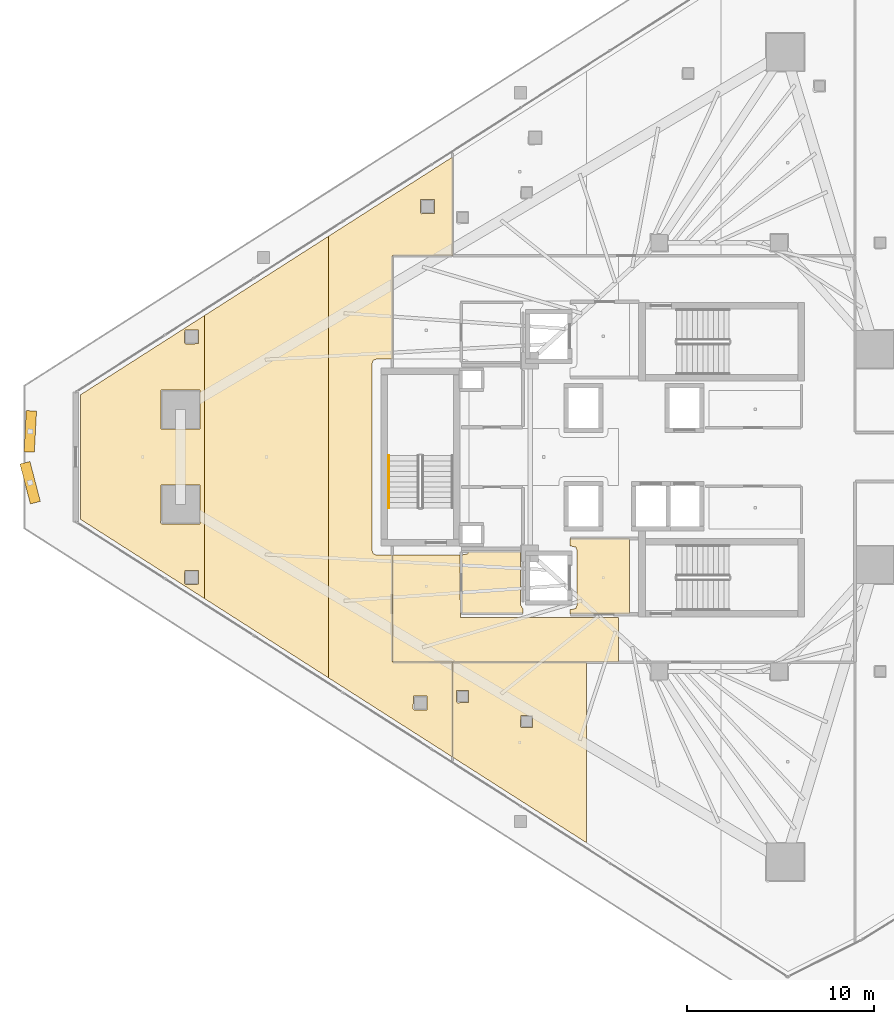
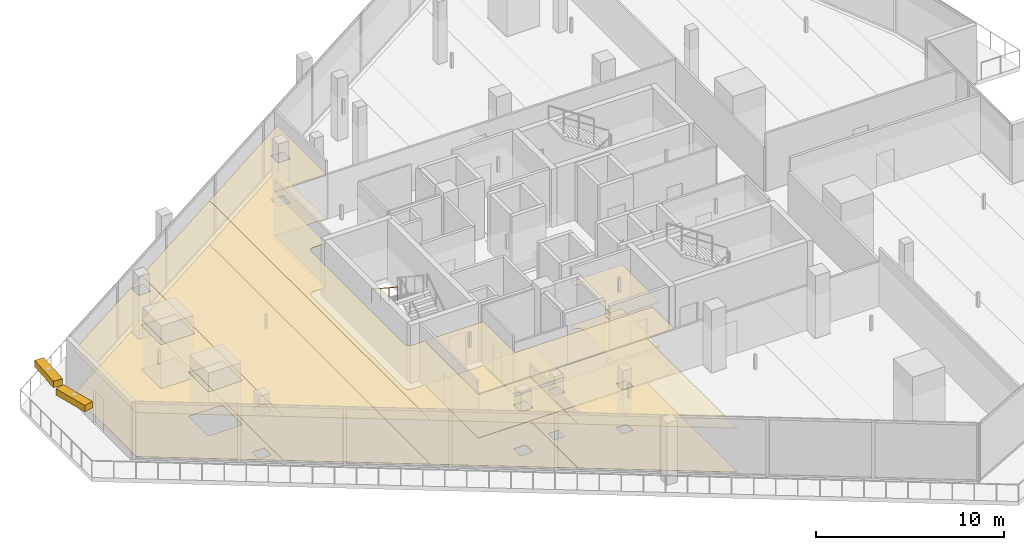
# One storey, part 30 of 36: 13 coverings, 2 shading devices, 1 railing.
"""IFC4 building model written with IfcOpenShell, lengths in metres."""

from ifc_helpers import new_model, si_unit, direction, frame, origin, origin_2d, place, context, subcontext, project, spatial, polyline, rectangle, circle, outline, extrude, material, layer, layer_set, type_object, element, save


model = new_model("IFC4")

# Units and contexts
model_context = context("Model", 3, precision=1e-05, world=origin(), true_north=direction((0.0, 1.0)))
body_context = subcontext(model_context, "Body", "Model", "MODEL_VIEW")
ifc_project = project(units=[si_unit("LENGTHUNIT", "METRE"), si_unit("AREAUNIT", "SQUARE_METRE"), si_unit("VOLUMEUNIT", "CUBIC_METRE"), si_unit("PLANEANGLEUNIT", "RADIAN"), si_unit("MASSUNIT", "GRAM", prefix="KILO")], contexts=[model_context])

# Site, building, storey
site_placement = place(None, origin())
site = spatial("IfcSite", under=ifc_project, at=site_placement, CompositionType="ELEMENT")
building_placement = place(site_placement, origin())
building = spatial("IfcBuilding", under=site, at=building_placement, Name="Qorvath Tower", CompositionType="ELEMENT")
storey_placement = place(building_placement, frame((0.0, 0.0, 192.89990234375)))
storey = spatial("IfcBuildingStorey", under=building, at=storey_placement, Name="L44", CompositionType="ELEMENT", Elevation=192.89990234375)

# Coverings
ifc_material_1 = material(Name="Acoustic mineral fibre ceiling tile", Category="gypsum")
ifc_layer_1 = layer(ifc_material_1, 0.030029296875)
ifc_layer_set_1 = layer_set([ifc_layer_1], Name="COV-CEIL")
covering_type_1 = type_object("IfcCoveringType", Name="COV-CEIL", PredefinedType="CEILING", material=ifc_layer_set_1)
covering_1_placement = place(storey_placement, frame((0.0, 0.0, 2.85009765625)))
element("IfcCovering", 1, at=covering_1_placement, inside=storey, type_object=covering_type_1, Name="L44 Suspended Acoustic Ceiling 002", PredefinedType="CEILING", context=body_context, shape_type="SweptSolid", body=[
    extrude(outline(polyline([(-25.18994140625, -8.39501953125), (-25.18994140625, -4.35498046875), (-28.375, -4.35498046875), (-28.375, -4.739990234375), (-28.063232421875, -4.813232421875), (-27.989990234375, -4.989990234375), (-27.989990234375, -7.909912109375), (-28.063232421875, -8.086669921875), (-28.375, -8.159912109375), (-28.375, -8.39501953125), (-25.18994140625, -8.39501953125)])), origin(), (0.0, 0.0, 1.0), 0.030029296875),
])
covering_2_placement = place(storey_placement, frame((0.0, 0.0, 2.85009765625)))
element("IfcCovering", 2, at=covering_2_placement, inside=storey, type_object=covering_type_1, Name="L44 Suspended Acoustic Ceiling 009", PredefinedType="CEILING", context=body_context, shape_type="SweptSolid", body=[
    extrude(outline(polyline([(-34.22509765625, -8.580078125), (-34.251220703125, -5.239990234375), (-37.844970703125, -5.239990234375), (-37.844970703125, -10.945068359375), (-25.76806640625, -10.945068359375), (-25.76806640625, -8.574462890625), (-34.22509765625, -8.580078125)])), origin(), (0.0, 0.0, 1.0), 0.030029296875),
])
covering_3_placement = place(storey_placement, frame((0.0, 0.0, 2.85009765625)))
element("IfcCovering", 3, at=covering_3_placement, inside=storey, type_object=covering_type_1, Name="L44 Suspended Acoustic Ceiling 012", PredefinedType="CEILING", context=body_context, shape_type="SweptSolid", body=[
    extrude(outline(polyline([(-47.89013671875, -7.561279296875), (-47.89013671875, 7.561279296875), (-54.5078125, 3.331787109375), (-54.5078125, -3.331787109375), (-47.89013671875, -7.561279296875)]), holes=[polyline([(-50.23193359375, -3.52783203125), (-50.21435546875, -1.4853515625), (-48.12939453125, -1.4853515625), (-48.12939453125, -3.5703125), (-50.171875, -3.587890625), (-50.23193359375, -3.52783203125)]), polyline([(-50.21435546875, 1.4853515625), (-50.21435546875, 3.5703125), (-48.12939453125, 3.5703125), (-48.12939453125, 1.4853515625), (-50.21435546875, 1.4853515625)]), polyline([(-48.96337890625, -6.74951171875), (-48.94580078125, -6.05712890625), (-48.2109375, -6.05712890625), (-48.2109375, -6.7919921875), (-48.9033203125, -6.8095703125), (-48.96337890625, -6.74951171875)]), polyline([(-48.96337890625, 6.099609375), (-48.94580078125, 6.7919921875), (-48.2109375, 6.7919921875), (-48.2109375, 6.05712890625), (-48.9033203125, 6.03955078125), (-48.96337890625, 6.099609375)])]), origin(), (0.0, 0.0, 1.0), 0.030029296875),
])
covering_4_placement = place(storey_placement, frame((0.0, 0.0, 2.85009765625)))
element("IfcCovering", 4, at=covering_4_placement, inside=storey, type_object=covering_type_1, Name="L44 Suspended Acoustic Ceiling 013", PredefinedType="CEILING", context=body_context, shape_type="SweptSolid", body=[
    extrude(outline(polyline([(-41.272705078125, -11.790771484375), (-41.272705078125, 11.790771484375), (-47.89013671875, 7.561279296875), (-47.89013671875, -7.561279296875), (-41.272705078125, -11.790771484375)])), origin(), (0.0, 0.0, 1.0), 0.030029296875),
])
covering_5_placement = place(storey_placement, frame((0.0, 0.0, 2.85009765625)))
element("IfcCovering", 5, at=covering_5_placement, inside=storey, type_object=covering_type_1, Name="L44 Suspended Acoustic Ceiling 014", PredefinedType="CEILING", context=body_context, shape_type="SweptSolid", body=[
    extrude(outline(polyline([(-34.655029296875, 10.762939453125), (-34.655029296875, 16.020263671875), (-41.272705078125, 11.790771484375), (-41.272705078125, -11.790771484375), (-34.655029296875, -16.020263671875), (-34.655029296875, -10.962890625), (-37.863037109375, -10.9580078125), (-37.863037109375, -5.239990234375), (-38.699951171875, -5.239990234375), (-38.876708984375, -5.166748046875), (-38.949951171875, -4.989990234375), (-38.949951171875, 4.989990234375), (-38.876708984375, 5.166748046875), (-38.699951171875, 5.239990234375), (-37.863037109375, 5.239990234375), (-37.861572265625, 10.761474609375), (-34.655029296875, 10.762939453125)]), holes=[polyline([(-36.36572265625, 13.055908203125), (-36.34814453125, 13.748291015625), (-35.61328125, 13.748291015625), (-35.61328125, 13.013427734375), (-36.3056640625, 12.995849609375), (-36.36572265625, 13.055908203125)]), polyline([(-36.749755859375, -13.46044921875), (-36.732177734375, -12.76806640625), (-35.997314453125, -12.76806640625), (-35.997314453125, -13.5029296875), (-36.689697265625, -13.5205078125), (-36.749755859375, -13.46044921875)])]), origin(), (0.0, 0.0, 1.0), 0.030029296875),
])
covering_6_placement = place(storey_placement, frame((0.0, 0.0, 2.85009765625)))
element("IfcCovering", 6, at=covering_6_placement, inside=storey, type_object=covering_type_1, Name="L44 Suspended Acoustic Ceiling 018", PredefinedType="CEILING", context=body_context, shape_type="SweptSolid", body=[
    extrude(outline(polyline([(-27.476318359375, -20.6083984375), (-27.476318359375, -10.962890625), (-34.636962890625, -10.962890625), (-34.636962890625, -16.03173828125), (-27.476318359375, -20.6083984375)]), holes=[polyline([(-31.01220703125, -14.3994140625), (-30.99462890625, -13.806884765625), (-30.35986328125, -13.806884765625), (-30.35986328125, -14.441650390625), (-30.9521484375, -14.459228515625), (-31.01220703125, -14.3994140625)]), polyline([(-34.439208984375, -13.0673828125), (-34.421630859375, -12.47509765625), (-33.786865234375, -12.47509765625), (-33.786865234375, -13.10986328125), (-34.379150390625, -13.12744140625), (-34.439208984375, -13.0673828125)])]), origin(), (0.0, 0.0, 1.0), 0.030029296875),
])
ifc_material_2 = material(Name="Low-VOC modular carpet tile", Category="textile")
ifc_layer_2 = layer(ifc_material_2, 0.014892578125)
ifc_layer_set_2 = layer_set([ifc_layer_2], Name="COV-FLOOR-CPT")
covering_type_2 = type_object("IfcCoveringType", Name="COV-FLOOR-CPT", PredefinedType="FLOORING", material=ifc_layer_set_2)
covering_7_placement = place(storey_placement, origin())
element("IfcCovering", 7, at=covering_7_placement, inside=storey, type_object=covering_type_2, Name="L44 Floor Finish 012", PredefinedType="FLOORING", context=body_context, shape_type="SweptSolid", body=[
    extrude(outline(polyline([(-47.89013671875, -7.561279296875), (-47.89013671875, 7.561279296875), (-54.5078125, 3.331787109375), (-54.5078125, -3.331787109375), (-47.89013671875, -7.561279296875)]), holes=[polyline([(-50.23193359375, -3.52783203125), (-50.21435546875, -1.4853515625), (-48.12939453125, -1.4853515625), (-48.12939453125, -3.5703125), (-50.171875, -3.587890625), (-50.23193359375, -3.52783203125)]), polyline([(-50.21435546875, 1.4853515625), (-50.21435546875, 3.5703125), (-48.12939453125, 3.5703125), (-48.12939453125, 1.4853515625), (-50.21435546875, 1.4853515625)]), polyline([(-48.96337890625, -6.74951171875), (-48.94580078125, -6.05712890625), (-48.2109375, -6.05712890625), (-48.2109375, -6.7919921875), (-48.9033203125, -6.8095703125), (-48.96337890625, -6.74951171875)]), polyline([(-48.96337890625, 6.099609375), (-48.94580078125, 6.7919921875), (-48.2109375, 6.7919921875), (-48.2109375, 6.05712890625), (-48.9033203125, 6.03955078125), (-48.96337890625, 6.099609375)])]), origin(), (0.0, 0.0, 1.0), 0.01513671875),
])
covering_8_placement = place(storey_placement, origin())
element("IfcCovering", 8, at=covering_8_placement, inside=storey, type_object=covering_type_2, Name="L44 Floor Finish 013", PredefinedType="FLOORING", context=body_context, shape_type="SweptSolid", body=[
    extrude(outline(polyline([(-41.272705078125, -11.790771484375), (-41.272705078125, 11.790771484375), (-47.89013671875, 7.561279296875), (-47.89013671875, -7.561279296875), (-41.272705078125, -11.790771484375)])), origin(), (0.0, 0.0, 1.0), 0.01513671875),
])
covering_9_placement = place(storey_placement, origin())
element("IfcCovering", 9, at=covering_9_placement, inside=storey, type_object=covering_type_2, Name="L44 Floor Finish 014", PredefinedType="FLOORING", context=body_context, shape_type="SweptSolid", body=[
    extrude(outline(polyline([(-34.655029296875, 10.762939453125), (-34.655029296875, 16.020263671875), (-41.272705078125, 11.790771484375), (-41.272705078125, -11.790771484375), (-34.655029296875, -16.020263671875), (-34.655029296875, -10.962890625), (-37.863037109375, -10.9580078125), (-37.863037109375, -5.239990234375), (-38.699951171875, -5.239990234375), (-38.876708984375, -5.166748046875), (-38.949951171875, -4.989990234375), (-38.949951171875, 4.989990234375), (-38.876708984375, 5.166748046875), (-38.699951171875, 5.239990234375), (-37.863037109375, 5.239990234375), (-37.861572265625, 10.761474609375), (-34.655029296875, 10.762939453125)]), holes=[polyline([(-36.36572265625, 13.055908203125), (-36.34814453125, 13.748291015625), (-35.61328125, 13.748291015625), (-35.61328125, 13.013427734375), (-36.3056640625, 12.995849609375), (-36.36572265625, 13.055908203125)]), polyline([(-36.749755859375, -13.46044921875), (-36.732177734375, -12.76806640625), (-35.997314453125, -12.76806640625), (-35.997314453125, -13.5029296875), (-36.689697265625, -13.5205078125), (-36.749755859375, -13.46044921875)])]), origin(), (0.0, 0.0, 1.0), 0.01513671875),
])
covering_10_placement = place(storey_placement, origin())
element("IfcCovering", 10, at=covering_10_placement, inside=storey, type_object=covering_type_2, Name="L44 Floor Finish 018", PredefinedType="FLOORING", context=body_context, shape_type="SweptSolid", body=[
    extrude(outline(polyline([(-27.476318359375, -20.6083984375), (-27.476318359375, -10.962890625), (-34.636962890625, -10.962890625), (-34.636962890625, -16.03173828125), (-27.476318359375, -20.6083984375)]), holes=[polyline([(-31.01220703125, -14.3994140625), (-30.99462890625, -13.806884765625), (-30.35986328125, -13.806884765625), (-30.35986328125, -14.441650390625), (-30.9521484375, -14.459228515625), (-31.01220703125, -14.3994140625)]), polyline([(-34.439208984375, -13.0673828125), (-34.421630859375, -12.47509765625), (-33.786865234375, -12.47509765625), (-33.786865234375, -13.10986328125), (-34.379150390625, -13.12744140625), (-34.439208984375, -13.0673828125)])]), origin(), (0.0, 0.0, 1.0), 0.01513671875),
])
ifc_material_3 = material(Name="Polished epoxy terrazzo flooring", Category="concrete")
ifc_layer_3 = layer(ifc_material_3, 0.02001953125)
ifc_layer_set_3 = layer_set([ifc_layer_3], Name="COV-FLOOR-TRZ")
covering_type_3 = type_object("IfcCoveringType", Name="COV-FLOOR-TRZ", PredefinedType="FLOORING", material=ifc_layer_set_3)
covering_11_placement = place(storey_placement, origin())
element("IfcCovering", 11, at=covering_11_placement, inside=storey, type_object=covering_type_3, Name="L44 Floor Finish 002", PredefinedType="FLOORING", context=body_context, shape_type="SweptSolid", body=[
    extrude(outline(polyline([(-25.18994140625, -8.39501953125), (-25.18994140625, -4.35498046875), (-28.375, -4.35498046875), (-28.375, -4.739990234375), (-28.063232421875, -4.813232421875), (-27.989990234375, -4.989990234375), (-27.989990234375, -7.909912109375), (-28.063232421875, -8.086669921875), (-28.375, -8.159912109375), (-28.375, -8.39501953125), (-25.18994140625, -8.39501953125)])), origin(), (0.0, 0.0, 1.0), 0.01513671875),
])
covering_12_placement = place(storey_placement, origin())
element("IfcCovering", 12, at=covering_12_placement, inside=storey, type_object=covering_type_3, Name="L44 Floor Finish 007", PredefinedType="FLOORING", context=body_context, shape_type="SweptSolid", body=[
    extrude(outline(polyline([(-30.885009765625, -8.108154296875), (-31.010009765625, -7.909912109375), (-31.010009765625, -5.054931640625), (-33.786865234375, -5.054931640625), (-33.833251953125, -5.166748046875), (-34.175048828125, -5.239990234375), (-34.175048828125, -8.344970703125), (-30.885009765625, -8.344970703125), (-30.885009765625, -8.108154296875)])), origin(), (0.0, 0.0, 1.0), 0.01513671875),
])
covering_13_placement = place(storey_placement, origin())
element("IfcCovering", 13, at=covering_13_placement, inside=storey, type_object=covering_type_3, Name="L44 Floor Finish 009", PredefinedType="FLOORING", context=body_context, shape_type="SweptSolid", body=[
    extrude(outline(polyline([(-34.22509765625, -8.580078125), (-34.251220703125, -5.239990234375), (-37.844970703125, -5.239990234375), (-37.844970703125, -10.945068359375), (-25.76806640625, -10.945068359375), (-25.76806640625, -8.574462890625), (-34.22509765625, -8.580078125)])), origin(), (0.0, 0.0, 1.0), 0.01513671875),
])

# Railing
ifc_material_4 = material(Name="Brushed stainless steel AISI 304", Category="steel")
railing_type = type_object("IfcRailingType", Name="RL-STR-HND", PredefinedType="HANDRAIL", material=ifc_material_4)
railing_placement = place(storey_placement, frame((-38.06005859375, 0.080078125, 2.209228515625)))
element("IfcRailing", 14, at=railing_placement, inside=storey, type_object=railing_type, Name="L44 TS3 stair handrail 2", PredefinedType="HANDRAIL", context=body_context, shape_type="SweptSolid", body=[
    extrude(circle(Radius=0.02392578125, at=origin_2d()), frame((0.0, 0.0, 0.8759765625), z_axis=(0.0, -0.835597507184, 0.549342157483), x_axis=(1.0, 0.0, 0.0)), (0.0, 0.0, 1.0), 3.35107421875),
    extrude(circle(Radius=0.02099609375, at=origin_2d()), origin(), (0.0, 0.0, 1.0), 0.851806640625),
    extrude(circle(Radius=0.02099609375, at=origin_2d()), frame((0.0, -0.933349609375, 0.613525390625)), (0.0, 0.0, 1.0), 0.851806640625),
    extrude(circle(Radius=0.02099609375, at=origin_2d()), frame((0.0, -1.86669921875, 1.227294921875)), (0.0, 0.0, 1.0), 0.851806640625),
    extrude(circle(Radius=0.02099609375, at=origin_2d()), frame((0.0, -2.800048828125, 1.8408203125)), (0.0, 0.0, 1.0), 0.851806640625),
])

# Shading devices
ifc_material_5 = material(Name="Anodised bronze-champagne aluminium", Category="aluminium")
shading_device_type = type_object("IfcShadingDeviceType", Name="SD-LOUVRE", PredefinedType="JALOUSIE", material=ifc_material_5)
for number, where, z_axis, x_axis, name in (
    (15, (-57.19873046875, 1.369873046875, 3.360107421875), (0.0, 0.0, 1.0), (-0.053186490579, -0.998584596927, 0.0), "Sinusoidal Wave Louvre Blade L44-01"),
    (16, (-57.206298828125, -1.369873046875, 3.360107421875), (0.0, 0.0, 1.0), (0.251647091481, -0.967819064366, 0.0), "Sinusoidal Wave Louvre Blade L44-02"),
):
    element("IfcShadingDevice", number, at=place(storey_placement, frame(where, z_axis=z_axis, x_axis=x_axis)), inside=storey, type_object=shading_device_type, Name=name, PredefinedType="NOTDEFINED", context=body_context, shape_type="SweptSolid", body=[
        extrude(rectangle(XDim=2.199951171875, YDim=0.550048828125, at=origin_2d()), origin(), (0.0, 0.0, 1.0), 0.419921875),
    ])

save(model, "model.ifc")
